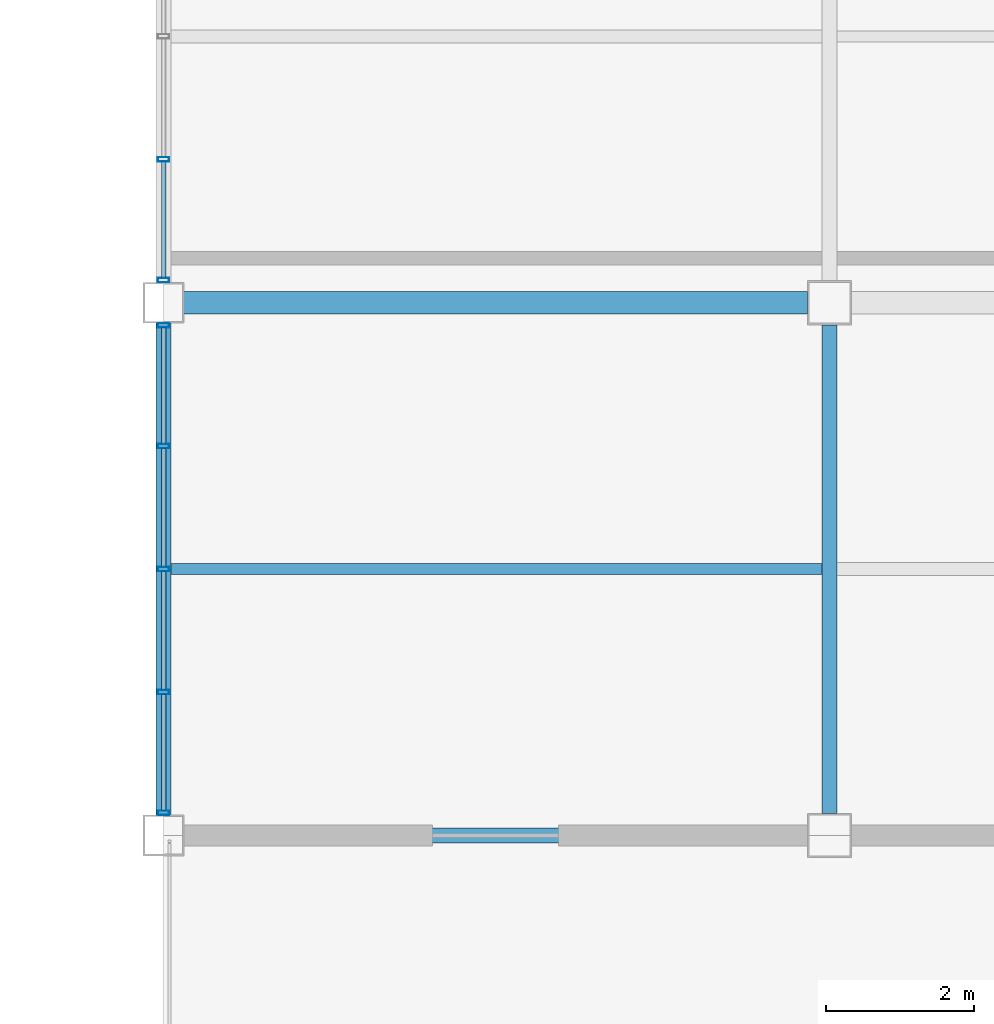
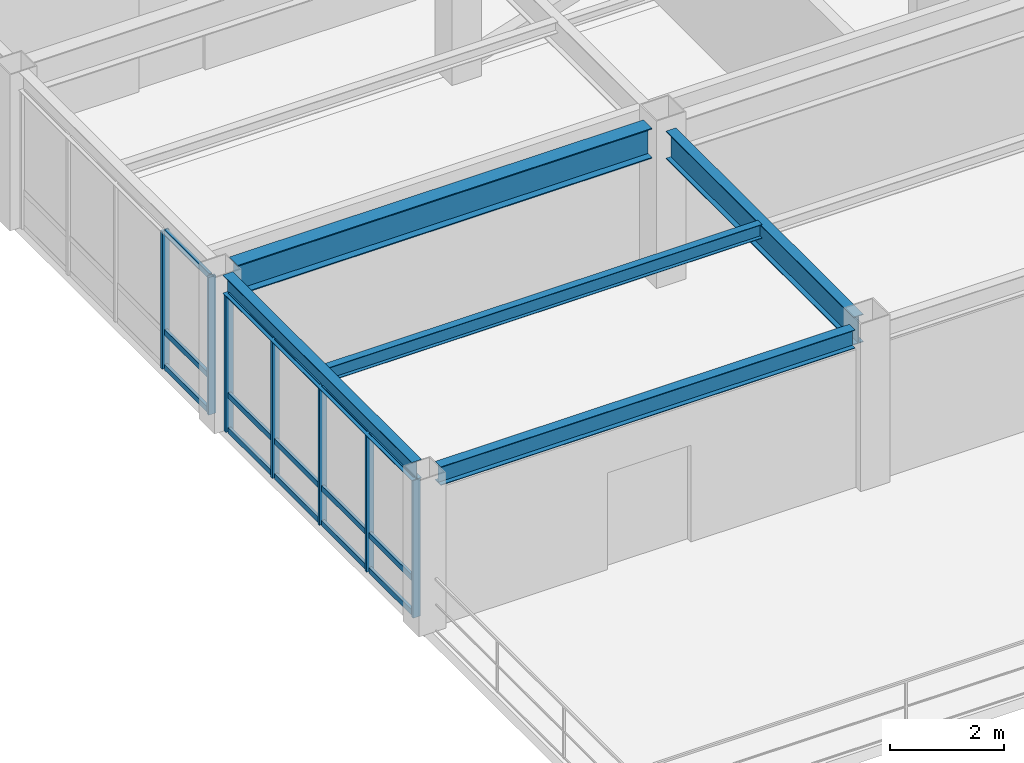
# One storey, part 20 of 43: 22 members, 5 beams, 2 elements without a shape of their own.
"""IFC4 building model written with IfcOpenShell, lengths in metres."""

import ifcopenshell
import ifcopenshell.guid

model = None  # the IFC model being written
_history = None  # IfcOwnerHistory: only IFC2X3 demands one
_inside = {}  # id of a spatial element -> (the spatial element, [elements in it])
_under = {}  # id of a project, library or spatial element -> (it, [spatial elements below it])
_declared = {}  # id of a project -> (the project, [libraries it declares])
_typed = {}  # id of a type object -> (the type object, [elements of that type])
_made_of = {}  # id of a material, layer set ... -> (it, [elements and type objects made of it])


def new_model(schema):
    """Start an empty IFC model of exactly this schema.

    Asked for "IFC4X3", IfcOpenShell would pick the latest addendum, in which some entities
    have other attributes; the version numbers below select the first issue.
    IFC2X3 requires an IfcOwnerHistory on every rooted entity: one is made here for all.
    """
    global model, _history
    if schema == "IFC4X3":
        model = ifcopenshell.file(schema_version=(4, 3, 0, 0))
    else:
        model = ifcopenshell.file(schema=schema)
    _inside.clear()
    _under.clear()
    _declared.clear()
    _typed.clear()
    _made_of.clear()
    _history = None
    if model.schema == "IFC2X3":
        org = make("IfcOrganization", Name="unknown")
        user = make(
            "IfcPersonAndOrganization",
            ThePerson=make("IfcPerson", FamilyName="unknown"),
            TheOrganization=org,
        )
        app = make(
            "IfcApplication",
            ApplicationDeveloper=org,
            Version="unknown",
            ApplicationFullName="unknown",
            ApplicationIdentifier="unknown",
        )
        _history = make(
            "IfcOwnerHistory",
            OwningUser=user,
            OwningApplication=app,
            ChangeAction="ADDED",
            CreationDate=0,
        )
    return model


def make(cls, **values):
    """One entity of the class cls with the attributes given. An attribute that is None is left unset."""
    return model.create_entity(
        cls, **{name: value for name, value in values.items() if value is not None}
    )


def rooted(cls, **values):
    """An entity with a GlobalId (a new one), such as an element, a storey or a relation."""
    return make(cls, GlobalId=ifcopenshell.guid.new(), OwnerHistory=_history, **values)


def si_unit(unit_type, name, prefix=None):
    """IfcSIUnit, for example si_unit("LENGTHUNIT", "METRE", prefix="MILLI")."""
    return make("IfcSIUnit", UnitType=unit_type, Prefix=prefix, Name=name)


def assignment(units):
    """IfcUnitAssignment: the units of a project."""
    return None if units is None else make("IfcUnitAssignment", Units=units)


def point(xyz):
    """IfcCartesianPoint."""
    return None if xyz is None else make("IfcCartesianPoint", Coordinates=xyz)


def direction(xyz):
    """IfcDirection."""
    return None if xyz is None else make("IfcDirection", DirectionRatios=xyz)


def frame(location, z_axis=None, x_axis=None):
    """IfcAxis2Placement3D, a coordinate frame: its origin and axes. An axis left out is left unset."""
    return make(
        "IfcAxis2Placement3D",
        Location=point(location),
        Axis=direction(z_axis),
        RefDirection=direction(x_axis),
    )


def frame_2d(location, x_axis=None):
    """IfcAxis2Placement2D, a coordinate frame in the plane: its origin and x axis."""
    return make(
        "IfcAxis2Placement2D", Location=point(location), RefDirection=direction(x_axis)
    )


def origin():
    """The frame at (0, 0, 0) with its axes left unset."""
    return frame((0.0, 0.0, 0.0))


def origin_2d():
    """The frame at (0, 0) in the plane with its x axis left unset."""
    return frame_2d((0.0, 0.0))


def place(relative_to, where):
    """IfcLocalPlacement: puts the frame where relative to a parent placement (None: the world)."""
    return make(
        "IfcLocalPlacement", PlacementRelTo=relative_to, RelativePlacement=where
    )


def context(
    kind, dimensions, precision=None, world=None, true_north=None, identifier=None
):
    """IfcGeometricRepresentationContext, for example the 3D "Model" context."""
    return make(
        "IfcGeometricRepresentationContext",
        ContextIdentifier=identifier,
        ContextType=kind,
        CoordinateSpaceDimension=dimensions,
        Precision=precision,
        WorldCoordinateSystem=world,
        TrueNorth=true_north,
    )


def subcontext(parent, identifier, kind, view, scale=None):
    """IfcGeometricRepresentationSubContext, for example "Body" below "Model"."""
    return make(
        "IfcGeometricRepresentationSubContext",
        ContextIdentifier=identifier,
        ContextType=kind,
        ParentContext=parent,
        TargetScale=scale,
        TargetView=view,
    )


def project(units=None, contexts=None):
    """IfcProject with its units and contexts."""
    return rooted(
        "IfcProject",
        Name="project",
        RepresentationContexts=contexts,
        UnitsInContext=assignment(units),
    )


def spatial(cls, under=None, at=None, **own):
    """A site, building, storey or space (cls), placed at a placement, below another one or the project."""
    s = rooted(cls, ObjectPlacement=at, **own)
    if under is not None:
        _under.setdefault(under.id(), (under, []))[1].append(s)
    return s


def profile(cls, at=None, kind="AREA", **sizes):
    """A parametric profile (cls). Its sizes go by their IFC names, for example OverallWidth=200.0."""
    return make(cls, ProfileType=kind, Position=at, **sizes)


def hollow_rectangle(**sizes):
    """IfcRectangleHollowProfileDef."""
    return profile("IfcRectangleHollowProfileDef", **sizes)


def i_section(**sizes):
    """IfcIShapeProfileDef."""
    return profile("IfcIShapeProfileDef", **sizes)


def extrude(swept, where, along, depth):
    """IfcExtrudedAreaSolid: the profile swept, set in the frame where, extruded along a direction by depth."""
    return make(
        "IfcExtrudedAreaSolid",
        SweptArea=swept,
        Position=where,
        ExtrudedDirection=direction(along),
        Depth=depth,
    )


def shape(context_of_items, identifier, shape_type, items):
    """IfcShapeRepresentation: the items that make up one representation, for example the "Body"."""
    return make(
        "IfcShapeRepresentation",
        ContextOfItems=context_of_items,
        RepresentationIdentifier=identifier,
        RepresentationType=shape_type,
        Items=items,
    )


def material(Name=None, Category=None):
    """IfcMaterial."""
    return make("IfcMaterial", Name=Name, Category=Category)


def material_profile(
    of_material, cross_section, Name=None, Category=None, Priority=None
):
    """IfcMaterialProfile: a cross section and its material."""
    return make(
        "IfcMaterialProfile",
        Name=Name,
        Material=of_material,
        Profile=cross_section,
        Priority=Priority,
        Category=Category,
    )


def profile_set(profiles, Name=None, composite=None):
    """IfcMaterialProfileSet."""
    return make(
        "IfcMaterialProfileSet",
        Name=Name,
        MaterialProfiles=profiles,
        CompositeProfile=composite,
    )


def made_of(thing, what):
    """Note that an element or type object is made of a material, layer set ...; save() writes the relation."""
    if what is not None:
        _made_of.setdefault(what.id(), (what, []))[1].append(thing)
    return thing


def type_object(cls, material=None, **own):
    """A type object (cls), such as IfcWallType, which elements share."""
    return made_of(rooted(cls, **own), material)


def element(
    cls,
    number,
    at=None,
    inside=None,
    cuts=None,
    type_object=None,
    material=None,
    context=None,
    identifier="Body",
    shape_type=None,
    held_by="IfcProductDefinitionShape",
    body=None,
    shapes=None,
    **own,
):
    """One element of the class cls, such as IfcWall. Its Tag is "e" and its number.

    at: its placement. inside: the storey or other place that contains it. cuts: it is an
    opening in that element (IfcRelVoidsElement). A single representation is given by context,
    identifier, shape_type and body (its items); several are given by shapes. held_by: the class
    of the entity that holds the representations. save() writes the other relations.
    """
    e = rooted(cls, Tag="e%d" % number, ObjectPlacement=at, **own)
    if body is not None:
        shapes = [shape(context, identifier, shape_type, body)]
    if shapes is not None:
        e.Representation = make(held_by, Representations=shapes)
    if inside is not None:
        _inside.setdefault(inside.id(), (inside, []))[1].append(e)
    if cuts is not None:
        rooted(
            "IfcRelVoidsElement", RelatingBuildingElement=cuts, RelatedOpeningElement=e
        )
    if type_object is not None:
        _typed.setdefault(type_object.id(), (type_object, []))[1].append(e)
    return made_of(e, material)


def aggregate(whole, parts):
    """IfcRelAggregates: a whole, such as a stair, and the parts it consists of."""
    return rooted("IfcRelAggregates", RelatingObject=whole, RelatedObjects=parts)


def save(model, path):
    """Write the relations noted so far, then the file.

    IfcRelAggregates (storeys below a building ...), IfcRelContainedInSpatialStructure (elements
    in a storey), IfcRelDefinesByType, IfcRelAssociatesMaterial and IfcRelDeclares: one each for
    every whole, place, type object, material and project.
    """
    for whole, parts in _under.values():
        aggregate(whole, parts)
    for where, things in _inside.values():
        rooted(
            "IfcRelContainedInSpatialStructure",
            RelatedElements=things,
            RelatingStructure=where,
        )
    for kind, things in _typed.values():
        rooted("IfcRelDefinesByType", RelatedObjects=things, RelatingType=kind)
    for what, things in _made_of.values():
        rooted("IfcRelAssociatesMaterial", RelatedObjects=things, RelatingMaterial=what)
    for by, libraries in _declared.values():
        rooted("IfcRelDeclares", RelatingContext=by, RelatedDefinitions=libraries)
    model.write(path)


model = new_model("IFC4")

# Units and contexts
model_context = context("Model", 3, precision=1e-05, world=origin(), true_north=direction((0.0, 1.0)))
body_context = subcontext(model_context, "Body", "Model", "MODEL_VIEW")
ifc_project = project(units=[si_unit("LENGTHUNIT", "METRE"), si_unit("AREAUNIT", "SQUARE_METRE"), si_unit("VOLUMEUNIT", "CUBIC_METRE"), si_unit("PLANEANGLEUNIT", "RADIAN"), si_unit("MASSUNIT", "GRAM", prefix="KILO")], contexts=[model_context])

# Site, building, storey
site_placement = place(None, origin())
site = spatial("IfcSite", under=ifc_project, at=site_placement, CompositionType="ELEMENT")
building_placement = place(site_placement, origin())
building = spatial("IfcBuilding", under=site, at=building_placement, Name="Kazanami Central Library", CompositionType="ELEMENT")
storey_placement = place(building_placement, frame((0.0, 0.0, 20.60009765625)))
storey = spatial("IfcBuildingStorey", under=building, at=storey_placement, Name="L06", CompositionType="ELEMENT", Elevation=20.60009765625)

# Beams
ifc_material_1 = material(Name="Steel SN400B (235 MPa)", Category="steel")
ifc_material_profile_1 = material_profile(ifc_material_1, i_section(OverallWidth=0.14990234375, OverallDepth=0.300048828125, WebThickness=0.006591796875, FlangeThickness=0.009033203125, at=origin_2d()), Name="H-300x150x6.5x9")
ifc_profile_set_1 = profile_set([ifc_material_profile_1], Name="Steel SN400B (235 MPa)")
beam_type_1 = type_object("IfcBeamType", Name="BM-B-S4", PredefinedType="JOIST", material=ifc_profile_set_1)
beam_1_placement = place(storey_placement, frame((117.097900390625, 61.199951171875, 3.2099609375), z_axis=(1.0, 0.0, 0.0), x_axis=(0.0, 1.0, 0.0)))
element("IfcBeam", 1, at=beam_1_placement, inside=storey, type_object=beam_type_1, Name="Composite Secondary Joist B-S4 L06 Bay 14/J.1", PredefinedType="JOIST", context=body_context, shape_type="SweptSolid", body=[
    extrude(i_section(OverallWidth=0.14990234375, OverallDepth=0.300048828125, WebThickness=0.006591796875, FlangeThickness=0.009033203125, at=origin_2d()), origin(), (0.0, 0.0, 1.0), 8.80419921875),
])
ifc_material_2 = material(Name="Steel SN490B (325 MPa)", Category="steel")
ifc_material_profile_2 = material_profile(ifc_material_2, i_section(OverallWidth=0.300048828125, OverallDepth=0.64990234375, WebThickness=0.012939453125, FlangeThickness=0.02099609375, at=origin_2d()), Name="H-650x300x13x21")
ifc_profile_set_2 = profile_set([ifc_material_profile_2], Name="Steel SN490B (325 MPa)")
beam_type_2 = type_object("IfcBeamType", Name="BM-G-TR", PredefinedType="BEAM", material=ifc_profile_set_2)
beam_2_placement = place(storey_placement, frame((117.27294921875, 64.800048828125, 3.034912109375), z_axis=(1.0, 0.0, 0.0), x_axis=(0.0, 1.0, 0.0)))
element("IfcBeam", 2, at=beam_2_placement, inside=storey, type_object=beam_type_2, Name="Girder G-TR L06 K/14-15", PredefinedType="BEAM", context=body_context, shape_type="SweptSolid", body=[
    extrude(i_section(OverallWidth=0.300048828125, OverallDepth=0.64990234375, WebThickness=0.012939453125, FlangeThickness=0.02099609375, at=origin_2d()), origin(), (0.0, 0.0, 1.0), 8.428955078125),
])
ifc_material_profile_3 = material_profile(ifc_material_2, i_section(OverallWidth=0.199951171875, OverallDepth=0.60009765625, WebThickness=0.010986328125, FlangeThickness=0.01708984375, at=origin_2d()), Name="H-600x200x11x17")
ifc_profile_set_3 = profile_set([ifc_material_profile_3], Name="Steel SN490B (325 MPa)")
beam_type_3 = type_object("IfcBeamType", Name="BM-G-Y1", PredefinedType="BEAM", material=ifc_profile_set_3)
beam_3_placement = place(storey_placement, frame((126.0, 57.89794921875, 3.02001953125), z_axis=(0.0, 1.0, 0.0), x_axis=(-1.0, 0.0, 0.0)))
element("IfcBeam", 3, at=beam_3_placement, inside=storey, type_object=beam_type_3, Name="Girder G-Y1 L06 15/J-K", PredefinedType="BEAM", context=body_context, shape_type="SweptSolid", body=[
    extrude(i_section(OverallWidth=0.199951171875, OverallDepth=0.60009765625, WebThickness=0.010986328125, FlangeThickness=0.01708984375, at=origin_2d()), origin(), (0.0, 0.0, 1.0), 6.60400390625),
])
ifc_material_profile_4 = material_profile(ifc_material_2, i_section(OverallWidth=0.199951171875, OverallDepth=0.39990234375, WebThickness=0.008056640625, FlangeThickness=0.012939453125, at=origin_2d()), Name="H-400x200x8x13")
ifc_profile_set_4 = profile_set([ifc_material_profile_4], Name="Steel SN490B (325 MPa)")
beam_type_4 = type_object("IfcBeamType", Name="BM-SP-3", PredefinedType="SPANDREL", material=ifc_profile_set_4)
beam_4_placement = place(storey_placement, frame((117.27294921875, 57.60009765625, 3.159912109375), z_axis=(1.0, 0.0, 0.0), x_axis=(0.0, 1.0, 0.0)))
element("IfcBeam", 4, at=beam_4_placement, inside=storey, type_object=beam_type_4, Name="Girder SP-3 L06 J/14-15", PredefinedType="SPANDREL", context=body_context, shape_type="SweptSolid", body=[
    extrude(i_section(OverallWidth=0.199951171875, OverallDepth=0.39990234375, WebThickness=0.008056640625, FlangeThickness=0.012939453125, at=origin_2d()), origin(), (0.0, 0.0, 1.0), 8.428955078125),
])
beam_5_placement = place(storey_placement, frame((117.0, 57.873046875, 3.159912109375), z_axis=(0.0, 1.0, 0.0), x_axis=(-1.0, 0.0, 0.0)))
element("IfcBeam", 5, at=beam_5_placement, inside=storey, type_object=beam_type_4, Name="Girder SP-3 L06 14/J-K", PredefinedType="SPANDREL", context=body_context, shape_type="SweptSolid", body=[
    extrude(i_section(OverallWidth=0.199951171875, OverallDepth=0.39990234375, WebThickness=0.008056640625, FlangeThickness=0.012939453125, at=origin_2d()), origin(), (0.0, 0.0, 1.0), 6.654052734375),
])

# Curtain wall, members
ifc_material_3 = material(Name="Acid-Etched Low-E Laminated Glass", Category="glass")
curtain_wall_type = type_object("IfcCurtainWallType", Name="CW-6650x2960-M180", PredefinedType="USERDEFINED", material=ifc_material_3)
curtain_wall_1_placement = place(storey_placement, origin())
curtain_wall_1 = element("IfcCurtainWall", 6, at=curtain_wall_1_placement, inside=storey, type_object=curtain_wall_type, Name="Covered Link Bridge Curtain Wall CW-59 L06 W-14-08", ObjectType="UNITISED CURTAIN WALL", PredefinedType="USERDEFINED")
ifc_material_4 = material(Name="Anodised Aluminium A6063-T5", Category="aluminium")
ifc_material_profile_5 = material_profile(ifc_material_4, hollow_rectangle(XDim=0.06005859375, YDim=0.14990234375, WallThickness=0.00390625, at=origin_2d()), Name="ALU-MULL-60x150x4")
ifc_profile_set_5 = profile_set([ifc_material_profile_5], Name="Anodised Aluminium A6063-T5")
member_type_1 = type_object("IfcMemberType", Name="MEM-CW-M3", PredefinedType="MULLION", material=ifc_profile_set_5)
member_1_placement = place(storey_placement, frame((117.0, 57.905029296875, 0.0), z_axis=(0.0, 0.0, 1.0), x_axis=(0.0, 1.0, 0.0)))
member_1 = element("IfcMember", 7, at=member_1_placement, type_object=member_type_1, Name="CW-59 mullion 1", PredefinedType="MULLION", context=body_context, shape_type="SweptSolid", body=[
    extrude(hollow_rectangle(XDim=0.06005859375, YDim=0.14990234375, WallThickness=0.00390625, at=origin_2d()), origin(), (0.0, 0.0, 1.0), 2.9599609375),
])
member_2_placement = place(storey_placement, frame((117.0, 59.53759765625, 0.0), z_axis=(0.0, 0.0, 1.0), x_axis=(0.0, 1.0, 0.0)))
member_2 = element("IfcMember", 8, at=member_2_placement, type_object=member_type_1, Name="CW-59 mullion 2", PredefinedType="MULLION", context=body_context, shape_type="SweptSolid", body=[
    extrude(hollow_rectangle(XDim=0.06005859375, YDim=0.14990234375, WallThickness=0.00390625, at=origin_2d()), origin(), (0.0, 0.0, 1.0), 2.9599609375),
])
member_3_placement = place(storey_placement, frame((117.0, 61.199951171875, 0.0), z_axis=(0.0, 0.0, 1.0), x_axis=(0.0, 1.0, 0.0)))
member_3 = element("IfcMember", 9, at=member_3_placement, type_object=member_type_1, Name="CW-59 mullion 3", PredefinedType="MULLION", context=body_context, shape_type="SweptSolid", body=[
    extrude(hollow_rectangle(XDim=0.06005859375, YDim=0.14990234375, WallThickness=0.00390625, at=origin_2d()), origin(), (0.0, 0.0, 1.0), 2.9599609375),
])
member_4_placement = place(storey_placement, frame((117.0, 62.862548828125, 0.0), z_axis=(0.0, 0.0, 1.0), x_axis=(0.0, 1.0, 0.0)))
member_4 = element("IfcMember", 10, at=member_4_placement, type_object=member_type_1, Name="CW-59 mullion 4", PredefinedType="MULLION", context=body_context, shape_type="SweptSolid", body=[
    extrude(hollow_rectangle(XDim=0.06005859375, YDim=0.14990234375, WallThickness=0.00390625, at=origin_2d()), origin(), (0.0, 0.0, 1.0), 2.9599609375),
])
member_5_placement = place(storey_placement, frame((117.0, 64.4951171875, 0.0), z_axis=(0.0, 0.0, 1.0), x_axis=(0.0, 1.0, 0.0)))
member_5 = element("IfcMember", 11, at=member_5_placement, type_object=member_type_1, Name="CW-59 mullion 5", PredefinedType="MULLION", context=body_context, shape_type="SweptSolid", body=[
    extrude(hollow_rectangle(XDim=0.06005859375, YDim=0.14990234375, WallThickness=0.00390625, at=origin_2d()), origin(), (0.0, 0.0, 1.0), 2.9599609375),
])

curtain_wall_2_placement = place(storey_placement, origin())
curtain_wall_2 = element("IfcCurtainWall", 12, at=curtain_wall_2_placement, inside=storey, type_object=curtain_wall_type, Name="Covered Link Bridge Curtain Wall CW-59 L06 W-14-09", ObjectType="UNITISED CURTAIN WALL", PredefinedType="USERDEFINED")
member_6_placement = place(storey_placement, frame((117.0, 65.10498046875, 0.0), z_axis=(0.0, 0.0, 1.0), x_axis=(0.0, 1.0, 0.0)))
member_6 = element("IfcMember", 13, at=member_6_placement, type_object=member_type_1, Name="CW-59 mullion 1", PredefinedType="MULLION", context=body_context, shape_type="SweptSolid", body=[
    extrude(hollow_rectangle(XDim=0.06005859375, YDim=0.14990234375, WallThickness=0.00390625, at=origin_2d()), origin(), (0.0, 0.0, 1.0), 2.9599609375),
])
member_7_placement = place(storey_placement, frame((117.0, 66.737548828125, 0.0), z_axis=(0.0, 0.0, 1.0), x_axis=(0.0, 1.0, 0.0)))
member_7 = element("IfcMember", 14, at=member_7_placement, type_object=member_type_1, Name="CW-59 mullion 2", PredefinedType="MULLION", context=body_context, shape_type="SweptSolid", body=[
    extrude(hollow_rectangle(XDim=0.06005859375, YDim=0.14990234375, WallThickness=0.00390625, at=origin_2d()), origin(), (0.0, 0.0, 1.0), 2.9599609375),
])

# Member
ifc_material_profile_6 = material_profile(ifc_material_4, hollow_rectangle(XDim=0.06005859375, YDim=0.1201171875, WallThickness=0.00341796875, at=origin_2d()), Name="ALU-TRAN-60x120x3.5")
ifc_profile_set_6 = profile_set([ifc_material_profile_6], Name="Anodised Aluminium A6063-T5")
member_type_2 = type_object("IfcMemberType", Name="MEM-CW-T3", PredefinedType="USERDEFINED", material=ifc_profile_set_6)
member_8_placement = place(storey_placement, frame((117.0, 57.93505859375, 0.02978515625), z_axis=(0.0, 1.0, 0.0), x_axis=(-1.0, 0.0, 0.0)))
member_8 = element("IfcMember", 15, at=member_8_placement, type_object=member_type_2, Name="CW-59 transom 1.1", ObjectType="TRANSOM", PredefinedType="USERDEFINED", context=body_context, shape_type="SweptSolid", body=[
    extrude(hollow_rectangle(XDim=0.06005859375, YDim=0.1201171875, WallThickness=0.00341796875, at=origin_2d()), origin(), (0.0, 0.0, 1.0), 1.572509765625),
])

member_9_placement = place(storey_placement, frame((117.0, 57.93505859375, 0.77978515625), z_axis=(0.0, 1.0, 0.0), x_axis=(-1.0, 0.0, 0.0)))
member_9 = element("IfcMember", 16, at=member_9_placement, type_object=member_type_2, Name="CW-59 transom 1.2", ObjectType="TRANSOM", PredefinedType="USERDEFINED", context=body_context, shape_type="SweptSolid", body=[
    extrude(hollow_rectangle(XDim=0.06005859375, YDim=0.1201171875, WallThickness=0.00341796875, at=origin_2d()), origin(), (0.0, 0.0, 1.0), 1.572509765625),
])

member_10_placement = place(storey_placement, frame((117.0, 57.93505859375, 2.929931640625), z_axis=(0.0, 1.0, 0.0), x_axis=(-1.0, 0.0, 0.0)))
member_10 = element("IfcMember", 17, at=member_10_placement, type_object=member_type_2, Name="CW-59 transom 1.3", ObjectType="TRANSOM", PredefinedType="USERDEFINED", context=body_context, shape_type="SweptSolid", body=[
    extrude(hollow_rectangle(XDim=0.06005859375, YDim=0.1201171875, WallThickness=0.00341796875, at=origin_2d()), origin(), (0.0, 0.0, 1.0), 1.572509765625),
])

member_11_placement = place(storey_placement, frame((117.0, 59.5673828125, 0.02978515625), z_axis=(0.0, 1.0, 0.0), x_axis=(-1.0, 0.0, 0.0)))
member_11 = element("IfcMember", 18, at=member_11_placement, type_object=member_type_2, Name="CW-59 transom 2.1", ObjectType="TRANSOM", PredefinedType="USERDEFINED", context=body_context, shape_type="SweptSolid", body=[
    extrude(hollow_rectangle(XDim=0.06005859375, YDim=0.1201171875, WallThickness=0.00341796875, at=origin_2d()), origin(), (0.0, 0.0, 1.0), 1.6025390625),
])

member_12_placement = place(storey_placement, frame((117.0, 59.5673828125, 0.77978515625), z_axis=(0.0, 1.0, 0.0), x_axis=(-1.0, 0.0, 0.0)))
member_12 = element("IfcMember", 19, at=member_12_placement, type_object=member_type_2, Name="CW-59 transom 2.2", ObjectType="TRANSOM", PredefinedType="USERDEFINED", context=body_context, shape_type="SweptSolid", body=[
    extrude(hollow_rectangle(XDim=0.06005859375, YDim=0.1201171875, WallThickness=0.00341796875, at=origin_2d()), origin(), (0.0, 0.0, 1.0), 1.6025390625),
])

member_13_placement = place(storey_placement, frame((117.0, 59.5673828125, 2.929931640625), z_axis=(0.0, 1.0, 0.0), x_axis=(-1.0, 0.0, 0.0)))
member_13 = element("IfcMember", 20, at=member_13_placement, type_object=member_type_2, Name="CW-59 transom 2.3", ObjectType="TRANSOM", PredefinedType="USERDEFINED", context=body_context, shape_type="SweptSolid", body=[
    extrude(hollow_rectangle(XDim=0.06005859375, YDim=0.1201171875, WallThickness=0.00341796875, at=origin_2d()), origin(), (0.0, 0.0, 1.0), 1.6025390625),
])

member_14_placement = place(storey_placement, frame((117.0, 61.22998046875, 0.02978515625), z_axis=(0.0, 1.0, 0.0), x_axis=(-1.0, 0.0, 0.0)))
member_14 = element("IfcMember", 21, at=member_14_placement, type_object=member_type_2, Name="CW-59 transom 3.1", ObjectType="TRANSOM", PredefinedType="USERDEFINED", context=body_context, shape_type="SweptSolid", body=[
    extrude(hollow_rectangle(XDim=0.06005859375, YDim=0.1201171875, WallThickness=0.00341796875, at=origin_2d()), origin(), (0.0, 0.0, 1.0), 1.6025390625),
])

member_15_placement = place(storey_placement, frame((117.0, 61.22998046875, 0.77978515625), z_axis=(0.0, 1.0, 0.0), x_axis=(-1.0, 0.0, 0.0)))
member_15 = element("IfcMember", 22, at=member_15_placement, type_object=member_type_2, Name="CW-59 transom 3.2", ObjectType="TRANSOM", PredefinedType="USERDEFINED", context=body_context, shape_type="SweptSolid", body=[
    extrude(hollow_rectangle(XDim=0.06005859375, YDim=0.1201171875, WallThickness=0.00341796875, at=origin_2d()), origin(), (0.0, 0.0, 1.0), 1.6025390625),
])

member_16_placement = place(storey_placement, frame((117.0, 61.22998046875, 2.929931640625), z_axis=(0.0, 1.0, 0.0), x_axis=(-1.0, 0.0, 0.0)))
member_16 = element("IfcMember", 23, at=member_16_placement, type_object=member_type_2, Name="CW-59 transom 3.3", ObjectType="TRANSOM", PredefinedType="USERDEFINED", context=body_context, shape_type="SweptSolid", body=[
    extrude(hollow_rectangle(XDim=0.06005859375, YDim=0.1201171875, WallThickness=0.00341796875, at=origin_2d()), origin(), (0.0, 0.0, 1.0), 1.6025390625),
])

member_17_placement = place(storey_placement, frame((117.0, 62.892578125, 0.02978515625), z_axis=(0.0, 1.0, 0.0), x_axis=(-1.0, 0.0, 0.0)))
member_17 = element("IfcMember", 24, at=member_17_placement, type_object=member_type_2, Name="CW-59 transom 4.1", ObjectType="TRANSOM", PredefinedType="USERDEFINED", context=body_context, shape_type="SweptSolid", body=[
    extrude(hollow_rectangle(XDim=0.06005859375, YDim=0.1201171875, WallThickness=0.00341796875, at=origin_2d()), origin(), (0.0, 0.0, 1.0), 1.572509765625),
])

member_18_placement = place(storey_placement, frame((117.0, 62.892578125, 0.77978515625), z_axis=(0.0, 1.0, 0.0), x_axis=(-1.0, 0.0, 0.0)))
member_18 = element("IfcMember", 25, at=member_18_placement, type_object=member_type_2, Name="CW-59 transom 4.2", ObjectType="TRANSOM", PredefinedType="USERDEFINED", context=body_context, shape_type="SweptSolid", body=[
    extrude(hollow_rectangle(XDim=0.06005859375, YDim=0.1201171875, WallThickness=0.00341796875, at=origin_2d()), origin(), (0.0, 0.0, 1.0), 1.572509765625),
])

member_19_placement = place(storey_placement, frame((117.0, 62.892578125, 2.929931640625), z_axis=(0.0, 1.0, 0.0), x_axis=(-1.0, 0.0, 0.0)))
member_19 = element("IfcMember", 26, at=member_19_placement, type_object=member_type_2, Name="CW-59 transom 4.3", ObjectType="TRANSOM", PredefinedType="USERDEFINED", context=body_context, shape_type="SweptSolid", body=[
    extrude(hollow_rectangle(XDim=0.06005859375, YDim=0.1201171875, WallThickness=0.00341796875, at=origin_2d()), origin(), (0.0, 0.0, 1.0), 1.572509765625),
])

aggregate(curtain_wall_1, [member_1, member_2, member_3, member_4, member_5, member_8, member_9, member_10, member_11, member_12, member_13, member_14, member_15, member_16, member_17, member_18, member_19])

member_20_placement = place(storey_placement, frame((117.0, 65.135009765625, 0.02978515625), z_axis=(0.0, 1.0, 0.0), x_axis=(-1.0, 0.0, 0.0)))
member_20 = element("IfcMember", 27, at=member_20_placement, type_object=member_type_2, Name="CW-59 transom 1.1", ObjectType="TRANSOM", PredefinedType="USERDEFINED", context=body_context, shape_type="SweptSolid", body=[
    extrude(hollow_rectangle(XDim=0.06005859375, YDim=0.1201171875, WallThickness=0.00341796875, at=origin_2d()), origin(), (0.0, 0.0, 1.0), 1.572509765625),
])

member_21_placement = place(storey_placement, frame((117.0, 65.135009765625, 0.77978515625), z_axis=(0.0, 1.0, 0.0), x_axis=(-1.0, 0.0, 0.0)))
member_21 = element("IfcMember", 28, at=member_21_placement, type_object=member_type_2, Name="CW-59 transom 1.2", ObjectType="TRANSOM", PredefinedType="USERDEFINED", context=body_context, shape_type="SweptSolid", body=[
    extrude(hollow_rectangle(XDim=0.06005859375, YDim=0.1201171875, WallThickness=0.00341796875, at=origin_2d()), origin(), (0.0, 0.0, 1.0), 1.572509765625),
])

member_22_placement = place(storey_placement, frame((117.0, 65.135009765625, 2.929931640625), z_axis=(0.0, 1.0, 0.0), x_axis=(-1.0, 0.0, 0.0)))
member_22 = element("IfcMember", 29, at=member_22_placement, type_object=member_type_2, Name="CW-59 transom 1.3", ObjectType="TRANSOM", PredefinedType="USERDEFINED", context=body_context, shape_type="SweptSolid", body=[
    extrude(hollow_rectangle(XDim=0.06005859375, YDim=0.1201171875, WallThickness=0.00341796875, at=origin_2d()), origin(), (0.0, 0.0, 1.0), 1.572509765625),
])

aggregate(curtain_wall_2, [member_6, member_7, member_20, member_21, member_22])

save(model, "model.ifc")
